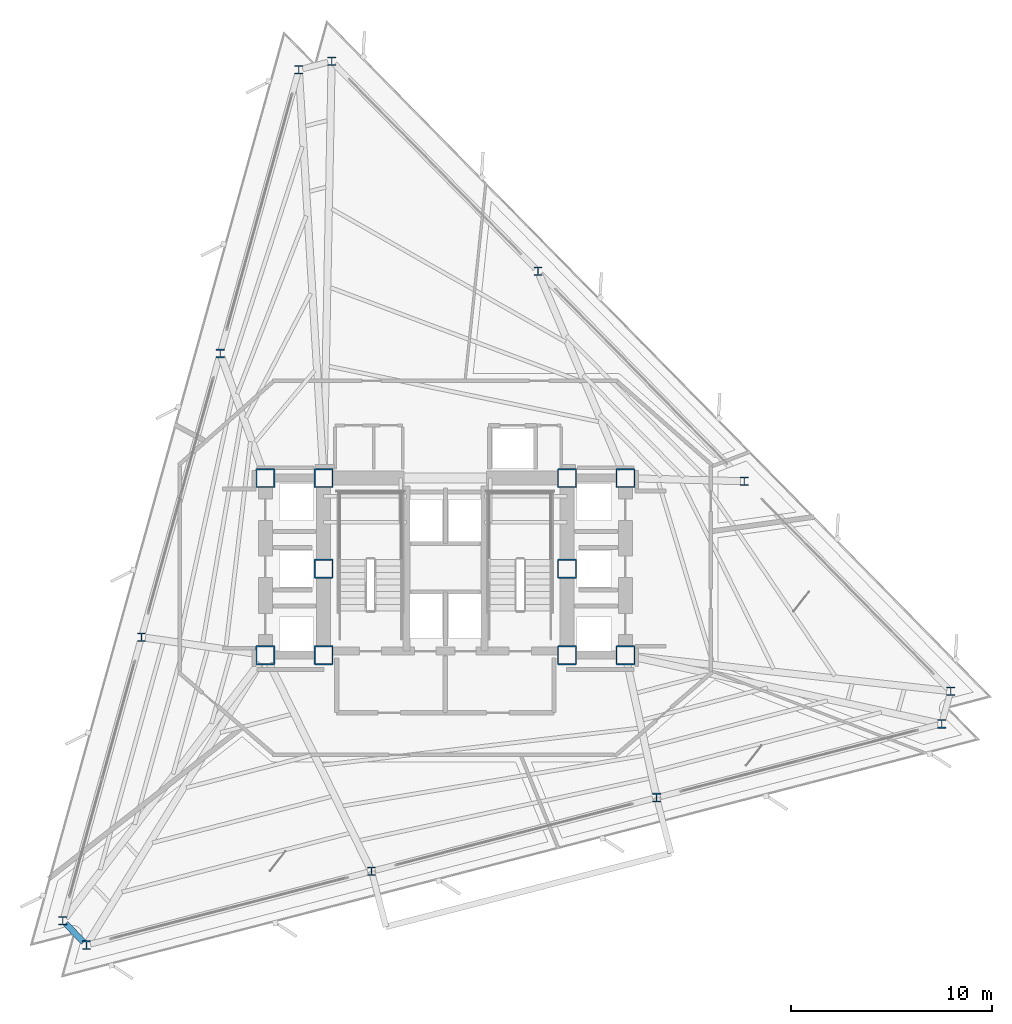
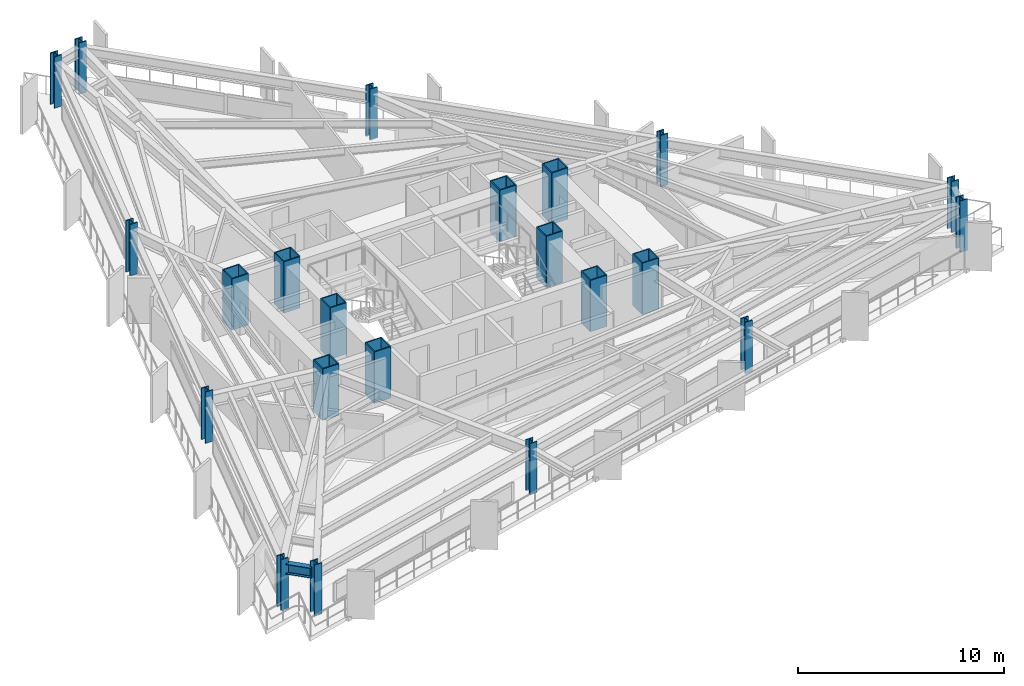
# One storey, part 1 of 11: 22 columns, 1 beam.
"""IFC4 building model written with IfcOpenShell, lengths in metres."""

import ifcopenshell
import ifcopenshell.guid

model = None  # the IFC model being written
_history = None  # IfcOwnerHistory: only IFC2X3 demands one
_inside = {}  # id of a spatial element -> (the spatial element, [elements in it])
_under = {}  # id of a project, library or spatial element -> (it, [spatial elements below it])
_declared = {}  # id of a project -> (the project, [libraries it declares])
_typed = {}  # id of a type object -> (the type object, [elements of that type])
_made_of = {}  # id of a material, layer set ... -> (it, [elements and type objects made of it])


def new_model(schema):
    """Start an empty IFC model of exactly this schema.

    Asked for "IFC4X3", IfcOpenShell would pick the latest addendum, in which some entities
    have other attributes; the version numbers below select the first issue.
    IFC2X3 requires an IfcOwnerHistory on every rooted entity: one is made here for all.
    """
    global model, _history
    if schema == "IFC4X3":
        model = ifcopenshell.file(schema_version=(4, 3, 0, 0))
    else:
        model = ifcopenshell.file(schema=schema)
    _inside.clear()
    _under.clear()
    _declared.clear()
    _typed.clear()
    _made_of.clear()
    _history = None
    if model.schema == "IFC2X3":
        org = make("IfcOrganization", Name="unknown")
        user = make(
            "IfcPersonAndOrganization",
            ThePerson=make("IfcPerson", FamilyName="unknown"),
            TheOrganization=org,
        )
        app = make(
            "IfcApplication",
            ApplicationDeveloper=org,
            Version="unknown",
            ApplicationFullName="unknown",
            ApplicationIdentifier="unknown",
        )
        _history = make(
            "IfcOwnerHistory",
            OwningUser=user,
            OwningApplication=app,
            ChangeAction="ADDED",
            CreationDate=0,
        )
    return model


def make(cls, **values):
    """One entity of the class cls with the attributes given. An attribute that is None is left unset."""
    return model.create_entity(
        cls, **{name: value for name, value in values.items() if value is not None}
    )


def rooted(cls, **values):
    """An entity with a GlobalId (a new one), such as an element, a storey or a relation."""
    return make(cls, GlobalId=ifcopenshell.guid.new(), OwnerHistory=_history, **values)


def si_unit(unit_type, name, prefix=None):
    """IfcSIUnit, for example si_unit("LENGTHUNIT", "METRE", prefix="MILLI")."""
    return make("IfcSIUnit", UnitType=unit_type, Prefix=prefix, Name=name)


def assignment(units):
    """IfcUnitAssignment: the units of a project."""
    return None if units is None else make("IfcUnitAssignment", Units=units)


def point(xyz):
    """IfcCartesianPoint."""
    return None if xyz is None else make("IfcCartesianPoint", Coordinates=xyz)


def direction(xyz):
    """IfcDirection."""
    return None if xyz is None else make("IfcDirection", DirectionRatios=xyz)


def frame(location, z_axis=None, x_axis=None):
    """IfcAxis2Placement3D, a coordinate frame: its origin and axes. An axis left out is left unset."""
    return make(
        "IfcAxis2Placement3D",
        Location=point(location),
        Axis=direction(z_axis),
        RefDirection=direction(x_axis),
    )


def frame_2d(location, x_axis=None):
    """IfcAxis2Placement2D, a coordinate frame in the plane: its origin and x axis."""
    return make(
        "IfcAxis2Placement2D", Location=point(location), RefDirection=direction(x_axis)
    )


def origin():
    """The frame at (0, 0, 0) with its axes left unset."""
    return frame((0.0, 0.0, 0.0))


def origin_2d():
    """The frame at (0, 0) in the plane with its x axis left unset."""
    return frame_2d((0.0, 0.0))


def place(relative_to, where):
    """IfcLocalPlacement: puts the frame where relative to a parent placement (None: the world)."""
    return make(
        "IfcLocalPlacement", PlacementRelTo=relative_to, RelativePlacement=where
    )


def context(
    kind, dimensions, precision=None, world=None, true_north=None, identifier=None
):
    """IfcGeometricRepresentationContext, for example the 3D "Model" context."""
    return make(
        "IfcGeometricRepresentationContext",
        ContextIdentifier=identifier,
        ContextType=kind,
        CoordinateSpaceDimension=dimensions,
        Precision=precision,
        WorldCoordinateSystem=world,
        TrueNorth=true_north,
    )


def subcontext(parent, identifier, kind, view, scale=None):
    """IfcGeometricRepresentationSubContext, for example "Body" below "Model"."""
    return make(
        "IfcGeometricRepresentationSubContext",
        ContextIdentifier=identifier,
        ContextType=kind,
        ParentContext=parent,
        TargetScale=scale,
        TargetView=view,
    )


def project(units=None, contexts=None):
    """IfcProject with its units and contexts."""
    return rooted(
        "IfcProject",
        Name="project",
        RepresentationContexts=contexts,
        UnitsInContext=assignment(units),
    )


def spatial(cls, under=None, at=None, **own):
    """A site, building, storey or space (cls), placed at a placement, below another one or the project."""
    s = rooted(cls, ObjectPlacement=at, **own)
    if under is not None:
        _under.setdefault(under.id(), (under, []))[1].append(s)
    return s


def profile(cls, at=None, kind="AREA", **sizes):
    """A parametric profile (cls). Its sizes go by their IFC names, for example OverallWidth=200.0."""
    return make(cls, ProfileType=kind, Position=at, **sizes)


def hollow_rectangle(**sizes):
    """IfcRectangleHollowProfileDef."""
    return profile("IfcRectangleHollowProfileDef", **sizes)


def i_section(**sizes):
    """IfcIShapeProfileDef."""
    return profile("IfcIShapeProfileDef", **sizes)


def extrude(swept, where, along, depth):
    """IfcExtrudedAreaSolid: the profile swept, set in the frame where, extruded along a direction by depth."""
    return make(
        "IfcExtrudedAreaSolid",
        SweptArea=swept,
        Position=where,
        ExtrudedDirection=direction(along),
        Depth=depth,
    )


def shape(context_of_items, identifier, shape_type, items):
    """IfcShapeRepresentation: the items that make up one representation, for example the "Body"."""
    return make(
        "IfcShapeRepresentation",
        ContextOfItems=context_of_items,
        RepresentationIdentifier=identifier,
        RepresentationType=shape_type,
        Items=items,
    )


def material(Name=None, Category=None):
    """IfcMaterial."""
    return make("IfcMaterial", Name=Name, Category=Category)


def material_profile(
    of_material, cross_section, Name=None, Category=None, Priority=None
):
    """IfcMaterialProfile: a cross section and its material."""
    return make(
        "IfcMaterialProfile",
        Name=Name,
        Material=of_material,
        Profile=cross_section,
        Priority=Priority,
        Category=Category,
    )


def profile_set(profiles, Name=None, composite=None):
    """IfcMaterialProfileSet."""
    return make(
        "IfcMaterialProfileSet",
        Name=Name,
        MaterialProfiles=profiles,
        CompositeProfile=composite,
    )


def made_of(thing, what):
    """Note that an element or type object is made of a material, layer set ...; save() writes the relation."""
    if what is not None:
        _made_of.setdefault(what.id(), (what, []))[1].append(thing)
    return thing


def type_object(cls, material=None, **own):
    """A type object (cls), such as IfcWallType, which elements share."""
    return made_of(rooted(cls, **own), material)


def element(
    cls,
    number,
    at=None,
    inside=None,
    cuts=None,
    type_object=None,
    material=None,
    context=None,
    identifier="Body",
    shape_type=None,
    held_by="IfcProductDefinitionShape",
    body=None,
    shapes=None,
    **own,
):
    """One element of the class cls, such as IfcWall. Its Tag is "e" and its number.

    at: its placement. inside: the storey or other place that contains it. cuts: it is an
    opening in that element (IfcRelVoidsElement). A single representation is given by context,
    identifier, shape_type and body (its items); several are given by shapes. held_by: the class
    of the entity that holds the representations. save() writes the other relations.
    """
    e = rooted(cls, Tag="e%d" % number, ObjectPlacement=at, **own)
    if body is not None:
        shapes = [shape(context, identifier, shape_type, body)]
    if shapes is not None:
        e.Representation = make(held_by, Representations=shapes)
    if inside is not None:
        _inside.setdefault(inside.id(), (inside, []))[1].append(e)
    if cuts is not None:
        rooted(
            "IfcRelVoidsElement", RelatingBuildingElement=cuts, RelatedOpeningElement=e
        )
    if type_object is not None:
        _typed.setdefault(type_object.id(), (type_object, []))[1].append(e)
    return made_of(e, material)


def aggregate(whole, parts):
    """IfcRelAggregates: a whole, such as a stair, and the parts it consists of."""
    return rooted("IfcRelAggregates", RelatingObject=whole, RelatedObjects=parts)


def save(model, path):
    """Write the relations noted so far, then the file.

    IfcRelAggregates (storeys below a building ...), IfcRelContainedInSpatialStructure (elements
    in a storey), IfcRelDefinesByType, IfcRelAssociatesMaterial and IfcRelDeclares: one each for
    every whole, place, type object, material and project.
    """
    for whole, parts in _under.values():
        aggregate(whole, parts)
    for where, things in _inside.values():
        rooted(
            "IfcRelContainedInSpatialStructure",
            RelatedElements=things,
            RelatingStructure=where,
        )
    for kind, things in _typed.values():
        rooted("IfcRelDefinesByType", RelatedObjects=things, RelatingType=kind)
    for what, things in _made_of.values():
        rooted("IfcRelAssociatesMaterial", RelatedObjects=things, RelatingMaterial=what)
    for by, libraries in _declared.values():
        rooted("IfcRelDeclares", RelatingContext=by, RelatedDefinitions=libraries)
    model.write(path)


model = new_model("IFC4")

# Units and contexts
model_context = context("Model", 3, precision=1e-05, world=origin(), true_north=direction((0.0, 1.0)))
body_context = subcontext(model_context, "Body", "Model", "MODEL_VIEW")
ifc_project = project(units=[si_unit("LENGTHUNIT", "METRE"), si_unit("AREAUNIT", "SQUARE_METRE"), si_unit("VOLUMEUNIT", "CUBIC_METRE"), si_unit("PLANEANGLEUNIT", "RADIAN"), si_unit("MASSUNIT", "GRAM", prefix="KILO")], contexts=[model_context])

# Site, building, storey
site_placement = place(None, origin())
site = spatial("IfcSite", under=ifc_project, at=site_placement, CompositionType="ELEMENT")
building_placement = place(site_placement, origin())
building = spatial("IfcBuilding", under=site, at=building_placement, Name="Rocaltana Carrier Exchange", CompositionType="ELEMENT")
storey_placement = place(building_placement, frame((0.0, 0.0, 97.760009765625)))
storey = spatial("IfcBuildingStorey", under=building, at=storey_placement, Name="L30", CompositionType="ELEMENT", Elevation=97.760009765625)

# Columns
ifc_material_1 = material(Name="Steel S460", Category="steel")
ifc_material_profile_1 = material_profile(ifc_material_1, hollow_rectangle(XDim=0.949951171875, YDim=0.949951171875, WallThickness=0.06005859375, InnerFilletRadius=0.02001953125, OuterFilletRadius=0.0400390625, at=origin_2d()), Name="BOX950X950X60")
ifc_profile_set_1 = profile_set([ifc_material_profile_1], Name="Steel S460")
column_type_1 = type_object("IfcColumnType", Name="Core Mega-Column BOX950", PredefinedType="COLUMN", material=ifc_profile_set_1)
for number, where, z_axis, x_axis, name in (
    (1, (-6.050048828125, 4.5, 0.0), (0.0, 0.0, 1.0), (1.0, 0.0, 0.0), "L30 Core Mega-Column MC1"),
    (2, (6.050048828125, 4.5, 0.0), (0.0, 0.0, 1.0), (1.0, 0.0, 0.0), "L30 Core Mega-Column MC2"),
    (3, (-6.050048828125, 0.0, 0.0), (0.0, 0.0, 1.0), (1.0, 0.0, 0.0), "L30 Core Mega-Column MC3"),
    (4, (6.050048828125, 0.0, 0.0), (0.0, 0.0, 1.0), (1.0, 0.0, 0.0), "L30 Core Mega-Column MC4"),
    (5, (-6.050048828125, -4.300048828125, 0.0), (0.0, 0.0, 1.0), (1.0, 0.0, 0.0), "L30 Core Mega-Column MC5"),
    (6, (6.050048828125, -4.300048828125, 0.0), (0.0, 0.0, 1.0), (1.0, 0.0, 0.0), "L30 Core Mega-Column MC6"),
    (7, (-8.949951171875, 4.5, 0.0), (0.0, 0.0, 1.0), (1.0, 0.0, 0.0), "L30 West Core Column WC1"),
    (8, (-8.949951171875, -4.300048828125, 0.0), (0.0, 0.0, 1.0), (1.0, 0.0, 0.0), "L30 West Core Column WC2"),
    (9, (8.949951171875, 4.5, 0.0), (0.0, 0.0, 1.0), (1.0, 0.0, 0.0), "L30 East Core Column EC1"),
    (10, (8.949951171875, -4.300048828125, 0.0), (0.0, 0.0, 1.0), (1.0, 0.0, 0.0), "L30 East Core Column EC2"),
):
    element("IfcColumn", number, at=place(storey_placement, frame(where, z_axis=z_axis, x_axis=x_axis)), inside=storey, type_object=column_type_1, Name=name, PredefinedType="COLUMN", context=body_context, shape_type="SweptSolid", body=[
        extrude(hollow_rectangle(XDim=0.949951171875, YDim=0.949951171875, WallThickness=0.06005859375, InnerFilletRadius=0.02001953125, OuterFilletRadius=0.0400390625, at=origin_2d()), origin(), (0.0, 0.0, 1.0), 3.0400390625),
    ])
ifc_material_2 = material(Name="Steel S460", Category="steel")
ifc_material_profile_2 = material_profile(ifc_material_2, i_section(OverallWidth=0.412109375, OverallDepth=0.43505859375, WebThickness=0.035888671875, FlangeThickness=0.057373046875, FilletRadius=0.02197265625, at=origin_2d()), Name="W14X311")
ifc_profile_set_2 = profile_set([ifc_material_profile_2], Name="Steel S460")
column_type_2 = type_object("IfcColumnType", Name="Perimeter Column W14X311", PredefinedType="COLUMN", material=ifc_profile_set_2)
for number, where, z_axis, x_axis, name in (
    (11, (25.11767578125, -6.091552734375, 0.0), (0.0, 0.0, 1.0), (1.0, 0.0, 0.0), "L30 Perimeter Column TC01"),
    (12, (14.861083984375, 4.345703125, 0.0), (0.0, 0.0, 1.0), (1.0, 0.0, 0.0), "L30 Perimeter Column TC02"),
    (13, (4.6044921875, 14.782958984375, 0.0), (0.0, 0.0, 1.0), (1.0, 0.0, 0.0), "L30 Perimeter Column TC03"),
    (14, (-5.652099609375, 25.22021484375, 0.0), (0.0, 0.0, 1.0), (1.0, 0.0, 0.0), "L30 Perimeter Column TC04"),
    (15, (-7.283447265625, 24.79833984375, 0.0), (0.0, 0.0, 1.0), (1.0, 0.0, 0.0), "L30 Perimeter Column TC05"),
    (16, (-11.194091796875, 10.697265625, 0.0), (0.0, 0.0, 1.0), (1.0, 0.0, 0.0), "L30 Perimeter Column TC06"),
    (17, (-15.1044921875, -3.40380859375, 0.0), (0.0, 0.0, 1.0), (1.0, 0.0, 0.0), "L30 Perimeter Column TC07"),
    (18, (-19.01513671875, -17.505126953125, 0.0), (0.0, 0.0, 1.0), (1.0, 0.0, 0.0), "L30 Perimeter Column TC08"),
    (19, (-17.834228515625, -18.706787109375, 0.0), (0.0, 0.0, 1.0), (1.0, 0.0, 0.0), "L30 Perimeter Column TC09"),
    (20, (-3.6669921875, -15.04296875, 0.0), (0.0, 0.0, 1.0), (1.0, 0.0, 0.0), "L30 Perimeter Column TC10"),
    (21, (10.500244140625, -11.37890625, 0.0), (0.0, 0.0, 1.0), (1.0, 0.0, 0.0), "L30 Perimeter Column TC11"),
    (22, (24.66748046875, -7.715087890625, 0.0), (0.0, 0.0, 1.0), (1.0, 0.0, 0.0), "L30 Perimeter Column TC12"),
):
    element("IfcColumn", number, at=place(storey_placement, frame(where, z_axis=z_axis, x_axis=x_axis)), inside=storey, type_object=column_type_2, Name=name, PredefinedType="COLUMN", context=body_context, shape_type="SweptSolid", body=[
        extrude(i_section(OverallWidth=0.412109375, OverallDepth=0.43505859375, WebThickness=0.035888671875, FlangeThickness=0.057373046875, FilletRadius=0.02197265625, at=origin_2d()), origin(), (0.0, 0.0, 1.0), 3.0400390625),
    ])

# Beam
ifc_material_3 = material(Name="Steel S355", Category="steel")
ifc_material_profile_3 = material_profile(ifc_material_3, i_section(OverallWidth=0.300048828125, OverallDepth=0.60009765625, WebThickness=0.015380859375, FlangeThickness=0.030029296875, FilletRadius=0.027099609375, at=origin_2d()), Name="HEB600")
ifc_profile_set_3 = profile_set([ifc_material_profile_3], Name="Steel S355")
beam_type = type_object("IfcBeamType", Name="Spandrel Edge Beam HEB600", PredefinedType="SPANDREL", material=ifc_profile_set_3)
beam_placement = place(storey_placement, frame((-18.87646484375, -17.646240234375, 2.41796875), z_axis=(0.700924882604, -0.713235100753, 0.0), x_axis=(0.713235100753, 0.700924882604, 0.0)))
element("IfcBeam", 23, at=beam_placement, inside=storey, type_object=beam_type, Name="SP-L30-08", PredefinedType="SPANDREL", context=body_context, shape_type="SweptSolid", body=[
    extrude(i_section(OverallWidth=0.300048828125, OverallDepth=0.60009765625, WebThickness=0.015380859375, FlangeThickness=0.030029296875, FilletRadius=0.027099609375, at=origin_2d()), origin(), (0.0, 0.0, 1.0), 1.2890625),
])

save(model, "model.ifc")
